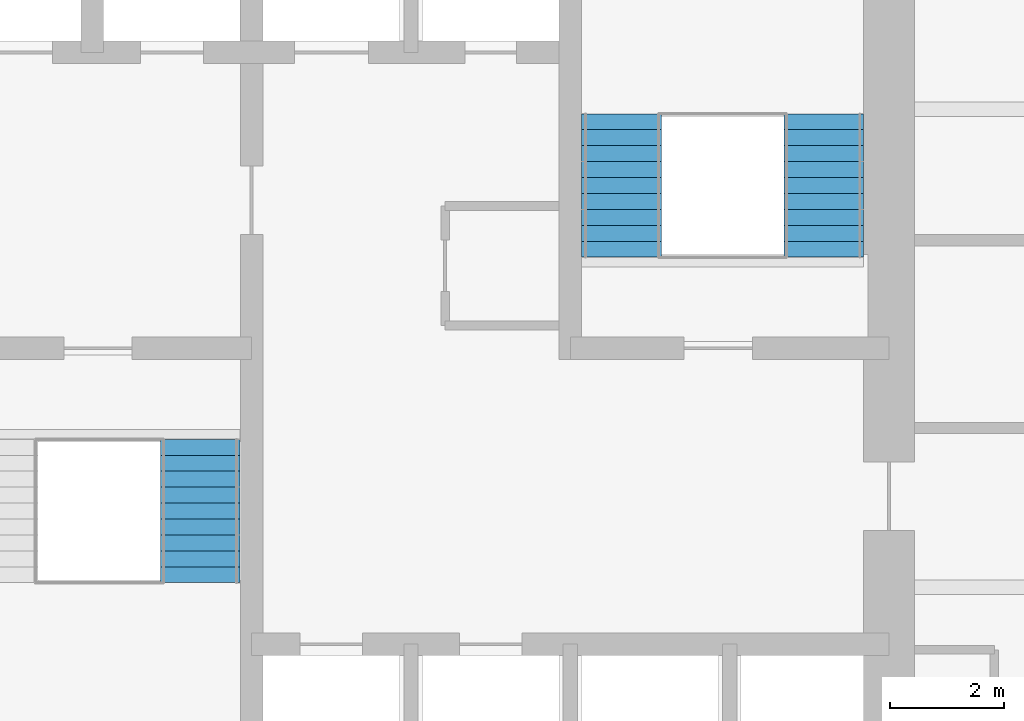
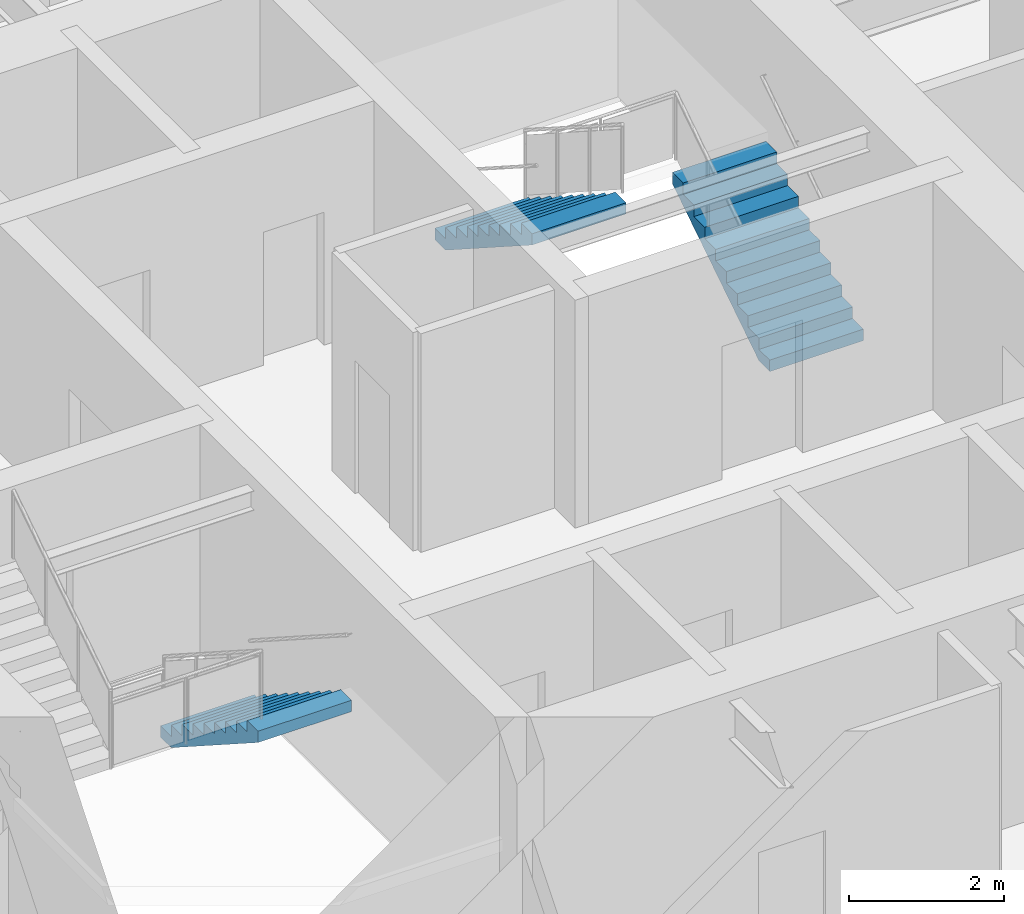
# One storey, part 13 of 15: 3 stair flights, 2 elements without a shape of their own.
"""IFC4 building model written with IfcOpenShell, lengths in metres."""

import ifcopenshell
import ifcopenshell.guid

model = None  # the IFC model being written
_history = None  # IfcOwnerHistory: only IFC2X3 demands one
_inside = {}  # id of a spatial element -> (the spatial element, [elements in it])
_under = {}  # id of a project, library or spatial element -> (it, [spatial elements below it])
_declared = {}  # id of a project -> (the project, [libraries it declares])
_typed = {}  # id of a type object -> (the type object, [elements of that type])
_made_of = {}  # id of a material, layer set ... -> (it, [elements and type objects made of it])


def new_model(schema):
    """Start an empty IFC model of exactly this schema.

    Asked for "IFC4X3", IfcOpenShell would pick the latest addendum, in which some entities
    have other attributes; the version numbers below select the first issue.
    IFC2X3 requires an IfcOwnerHistory on every rooted entity: one is made here for all.
    """
    global model, _history
    if schema == "IFC4X3":
        model = ifcopenshell.file(schema_version=(4, 3, 0, 0))
    else:
        model = ifcopenshell.file(schema=schema)
    _inside.clear()
    _under.clear()
    _declared.clear()
    _typed.clear()
    _made_of.clear()
    _history = None
    if model.schema == "IFC2X3":
        org = make("IfcOrganization", Name="unknown")
        user = make(
            "IfcPersonAndOrganization",
            ThePerson=make("IfcPerson", FamilyName="unknown"),
            TheOrganization=org,
        )
        app = make(
            "IfcApplication",
            ApplicationDeveloper=org,
            Version="unknown",
            ApplicationFullName="unknown",
            ApplicationIdentifier="unknown",
        )
        _history = make(
            "IfcOwnerHistory",
            OwningUser=user,
            OwningApplication=app,
            ChangeAction="ADDED",
            CreationDate=0,
        )
    return model


def make(cls, **values):
    """One entity of the class cls with the attributes given. An attribute that is None is left unset."""
    return model.create_entity(
        cls, **{name: value for name, value in values.items() if value is not None}
    )


def rooted(cls, **values):
    """An entity with a GlobalId (a new one), such as an element, a storey or a relation."""
    return make(cls, GlobalId=ifcopenshell.guid.new(), OwnerHistory=_history, **values)


def si_unit(unit_type, name, prefix=None):
    """IfcSIUnit, for example si_unit("LENGTHUNIT", "METRE", prefix="MILLI")."""
    return make("IfcSIUnit", UnitType=unit_type, Prefix=prefix, Name=name)


def assignment(units):
    """IfcUnitAssignment: the units of a project."""
    return None if units is None else make("IfcUnitAssignment", Units=units)


def point(xyz):
    """IfcCartesianPoint."""
    return None if xyz is None else make("IfcCartesianPoint", Coordinates=xyz)


def direction(xyz):
    """IfcDirection."""
    return None if xyz is None else make("IfcDirection", DirectionRatios=xyz)


def frame(location, z_axis=None, x_axis=None):
    """IfcAxis2Placement3D, a coordinate frame: its origin and axes. An axis left out is left unset."""
    return make(
        "IfcAxis2Placement3D",
        Location=point(location),
        Axis=direction(z_axis),
        RefDirection=direction(x_axis),
    )


def origin():
    """The frame at (0, 0, 0) with its axes left unset."""
    return frame((0.0, 0.0, 0.0))


def place(relative_to, where):
    """IfcLocalPlacement: puts the frame where relative to a parent placement (None: the world)."""
    return make(
        "IfcLocalPlacement", PlacementRelTo=relative_to, RelativePlacement=where
    )


def context(
    kind, dimensions, precision=None, world=None, true_north=None, identifier=None
):
    """IfcGeometricRepresentationContext, for example the 3D "Model" context."""
    return make(
        "IfcGeometricRepresentationContext",
        ContextIdentifier=identifier,
        ContextType=kind,
        CoordinateSpaceDimension=dimensions,
        Precision=precision,
        WorldCoordinateSystem=world,
        TrueNorth=true_north,
    )


def subcontext(parent, identifier, kind, view, scale=None):
    """IfcGeometricRepresentationSubContext, for example "Body" below "Model"."""
    return make(
        "IfcGeometricRepresentationSubContext",
        ContextIdentifier=identifier,
        ContextType=kind,
        ParentContext=parent,
        TargetScale=scale,
        TargetView=view,
    )


def project(units=None, contexts=None):
    """IfcProject with its units and contexts."""
    return rooted(
        "IfcProject",
        Name="project",
        RepresentationContexts=contexts,
        UnitsInContext=assignment(units),
    )


def spatial(cls, under=None, at=None, **own):
    """A site, building, storey or space (cls), placed at a placement, below another one or the project."""
    s = rooted(cls, ObjectPlacement=at, **own)
    if under is not None:
        _under.setdefault(under.id(), (under, []))[1].append(s)
    return s


def polyline(points):
    """IfcPolyline through the points."""
    return make("IfcPolyline", Points=[point(p) for p in points])


def outline(outer, holes=None, kind="AREA"):
    """IfcArbitraryClosedProfileDef: a profile drawn as a closed curve; with holes, ...WithVoids."""
    if holes is None:
        return make("IfcArbitraryClosedProfileDef", ProfileType=kind, OuterCurve=outer)
    return make(
        "IfcArbitraryProfileDefWithVoids",
        ProfileType=kind,
        OuterCurve=outer,
        InnerCurves=holes,
    )


def extrude(swept, where, along, depth):
    """IfcExtrudedAreaSolid: the profile swept, set in the frame where, extruded along a direction by depth."""
    return make(
        "IfcExtrudedAreaSolid",
        SweptArea=swept,
        Position=where,
        ExtrudedDirection=direction(along),
        Depth=depth,
    )


def shape(context_of_items, identifier, shape_type, items):
    """IfcShapeRepresentation: the items that make up one representation, for example the "Body"."""
    return make(
        "IfcShapeRepresentation",
        ContextOfItems=context_of_items,
        RepresentationIdentifier=identifier,
        RepresentationType=shape_type,
        Items=items,
    )


def material(Name=None, Category=None):
    """IfcMaterial."""
    return make("IfcMaterial", Name=Name, Category=Category)


def made_of(thing, what):
    """Note that an element or type object is made of a material, layer set ...; save() writes the relation."""
    if what is not None:
        _made_of.setdefault(what.id(), (what, []))[1].append(thing)
    return thing


def type_object(cls, material=None, **own):
    """A type object (cls), such as IfcWallType, which elements share."""
    return made_of(rooted(cls, **own), material)


def element(
    cls,
    number,
    at=None,
    inside=None,
    cuts=None,
    type_object=None,
    material=None,
    context=None,
    identifier="Body",
    shape_type=None,
    held_by="IfcProductDefinitionShape",
    body=None,
    shapes=None,
    **own,
):
    """One element of the class cls, such as IfcWall. Its Tag is "e" and its number.

    at: its placement. inside: the storey or other place that contains it. cuts: it is an
    opening in that element (IfcRelVoidsElement). A single representation is given by context,
    identifier, shape_type and body (its items); several are given by shapes. held_by: the class
    of the entity that holds the representations. save() writes the other relations.
    """
    e = rooted(cls, Tag="e%d" % number, ObjectPlacement=at, **own)
    if body is not None:
        shapes = [shape(context, identifier, shape_type, body)]
    if shapes is not None:
        e.Representation = make(held_by, Representations=shapes)
    if inside is not None:
        _inside.setdefault(inside.id(), (inside, []))[1].append(e)
    if cuts is not None:
        rooted(
            "IfcRelVoidsElement", RelatingBuildingElement=cuts, RelatedOpeningElement=e
        )
    if type_object is not None:
        _typed.setdefault(type_object.id(), (type_object, []))[1].append(e)
    return made_of(e, material)


def aggregate(whole, parts):
    """IfcRelAggregates: a whole, such as a stair, and the parts it consists of."""
    return rooted("IfcRelAggregates", RelatingObject=whole, RelatedObjects=parts)


def save(model, path):
    """Write the relations noted so far, then the file.

    IfcRelAggregates (storeys below a building ...), IfcRelContainedInSpatialStructure (elements
    in a storey), IfcRelDefinesByType, IfcRelAssociatesMaterial and IfcRelDeclares: one each for
    every whole, place, type object, material and project.
    """
    for whole, parts in _under.values():
        aggregate(whole, parts)
    for where, things in _inside.values():
        rooted(
            "IfcRelContainedInSpatialStructure",
            RelatedElements=things,
            RelatingStructure=where,
        )
    for kind, things in _typed.values():
        rooted("IfcRelDefinesByType", RelatedObjects=things, RelatingType=kind)
    for what, things in _made_of.values():
        rooted("IfcRelAssociatesMaterial", RelatedObjects=things, RelatingMaterial=what)
    for by, libraries in _declared.values():
        rooted("IfcRelDeclares", RelatingContext=by, RelatedDefinitions=libraries)
    model.write(path)


model = new_model("IFC4")

# Units and contexts
model_context = context("Model", 3, precision=1e-05, world=origin(), true_north=direction((0.0, 1.0)))
body_context = subcontext(model_context, "Body", "Model", "MODEL_VIEW")
ifc_project = project(units=[si_unit("LENGTHUNIT", "METRE"), si_unit("AREAUNIT", "SQUARE_METRE"), si_unit("VOLUMEUNIT", "CUBIC_METRE"), si_unit("PLANEANGLEUNIT", "RADIAN"), si_unit("MASSUNIT", "GRAM", prefix="KILO")], contexts=[model_context])

# Site, building, storey
site_placement = place(None, origin())
site = spatial("IfcSite", under=ifc_project, at=site_placement, CompositionType="ELEMENT")
building_placement = place(site_placement, origin())
building = spatial("IfcBuilding", under=site, at=building_placement, Name="Torre Alcanfor", CompositionType="ELEMENT")
storey_placement = place(building_placement, frame((0.0, 0.0, 152.10009765625)))
storey = spatial("IfcBuildingStorey", under=building, at=storey_placement, Name="L39", CompositionType="ELEMENT", Elevation=152.10009765625)

# Stair, stair flight
ifc_material_1 = material(Name="Concrete f'c 35 MPa", Category="concrete")
stair_type_1 = type_object("IfcStairType", Name="Exit stair S1 1400 wide", PredefinedType="HALF_TURN_STAIR", material=ifc_material_1)
stair_1_placement = place(storey_placement, origin())
stair_1 = element("IfcStair", 1, at=stair_1_placement, inside=storey, type_object=stair_type_1, Name="Stair S1 L39 to L40", PredefinedType="HALF_TURN_STAIR")
ifc_material_2 = material(Name="Concrete f'c 35 MPa", Category="concrete")
stair_flight_type = type_object("IfcStairFlightType", Name="Stair flight 1400", PredefinedType="STRAIGHT", material=ifc_material_2)
stair_flight_1_placement = place(storey_placement, frame((25.699951171875, 27.800048828125, 0.0), z_axis=(0.0, 0.0, 1.0), x_axis=(0.0, -1.0, 0.0)))
stair_flight_1 = element("IfcStairFlight", 2, at=stair_flight_1_placement, type_object=stair_flight_type, Name="S1 flight 1", NumberOfRisers=10, NumberOfTreads=9, PredefinedType="STRAIGHT", RiserHeight=0.18, TreadLength=0.28, context=body_context, shape_type="SweptSolid", body=[
    extrude(outline(polyline([(0.0, 0.0), (0.0, 0.179931640625), (0.280029296875, 0.179931640625), (0.280029296875, 0.360107421875), (0.56005859375, 0.360107421875), (0.56005859375, 0.5400390625), (0.840087890625, 0.5400390625), (0.840087890625, 0.719970703125), (1.1201171875, 0.719970703125), (1.1201171875, 0.89990234375), (1.39990234375, 0.89990234375), (1.39990234375, 1.080078125), (1.679931640625, 1.080078125), (1.679931640625, 1.260009765625), (1.9599609375, 1.260009765625), (1.9599609375, 1.43994140625), (2.239990234375, 1.43994140625), (2.239990234375, 1.6201171875), (2.52001953125, 1.6201171875), (2.52001953125, 1.800048828125), (2.52001953125, 1.44189453125), (0.277099609375, 0.0), (0.0, 0.0)])), frame((0.0, 0.699951171875, 0.0), z_axis=(0.0, -1.0, 0.0), x_axis=(1.0, 0.0, 0.0)), (0.0, 0.0, 1.0), 1.39990234375),
])
aggregate(stair_1, [stair_flight_1])

# Stair, stair flights
ifc_material_3 = material(Name="Concrete f'c 35 MPa", Category="concrete")
stair_type_2 = type_object("IfcStairType", Name="Exit stair S2 1400 wide", PredefinedType="HALF_TURN_STAIR", material=ifc_material_3)
stair_2_placement = place(storey_placement, origin())
stair_2 = element("IfcStair", 3, at=stair_2_placement, inside=storey, type_object=stair_type_2, Name="Stair S2 L39 to L40", PredefinedType="HALF_TURN_STAIR")
stair_flight_2_placement = place(storey_placement, frame((36.64990234375, 31.0, 0.0), z_axis=(0.0, 0.0, 1.0), x_axis=(0.0, 1.0, 0.0)))
stair_flight_2 = element("IfcStairFlight", 4, at=stair_flight_2_placement, type_object=stair_flight_type, Name="S2 flight 1", NumberOfRisers=10, NumberOfTreads=9, PredefinedType="STRAIGHT", RiserHeight=0.18, TreadLength=0.28, context=body_context, shape_type="SweptSolid", body=[
    extrude(outline(polyline([(0.0, 0.0), (0.0, 0.179931640625), (0.280029296875, 0.179931640625), (0.280029296875, 0.360107421875), (0.56005859375, 0.360107421875), (0.56005859375, 0.5400390625), (0.840087890625, 0.5400390625), (0.840087890625, 0.719970703125), (1.1201171875, 0.719970703125), (1.1201171875, 0.89990234375), (1.39990234375, 0.89990234375), (1.39990234375, 1.080078125), (1.679931640625, 1.080078125), (1.679931640625, 1.260009765625), (1.9599609375, 1.260009765625), (1.9599609375, 1.43994140625), (2.239990234375, 1.43994140625), (2.239990234375, 1.6201171875), (2.52001953125, 1.6201171875), (2.52001953125, 1.800048828125), (2.52001953125, 1.44189453125), (0.277099609375, 0.0), (0.0, 0.0)])), frame((0.0, 0.699951171875, 0.0), z_axis=(0.0, -1.0, 0.0), x_axis=(1.0, 0.0, 0.0)), (0.0, 0.0, 1.0), 1.39990234375),
])
stair_flight_3_placement = place(storey_placement, frame((33.10009765625, 33.52001953125, 1.7998046875), z_axis=(0.0, 0.0, 1.0), x_axis=(0.0, -1.0, 0.0)))
stair_flight_3 = element("IfcStairFlight", 5, at=stair_flight_3_placement, type_object=stair_flight_type, Name="S2 flight 2", NumberOfRisers=10, NumberOfTreads=9, PredefinedType="STRAIGHT", RiserHeight=0.18, TreadLength=0.28, context=body_context, shape_type="SweptSolid", body=[
    extrude(outline(polyline([(0.0, 0.0), (0.0, 0.179931640625), (0.280029296875, 0.179931640625), (0.280029296875, 0.360107421875), (0.56005859375, 0.360107421875), (0.56005859375, 0.5400390625), (0.840087890625, 0.5400390625), (0.840087890625, 0.719970703125), (1.1201171875, 0.719970703125), (1.1201171875, 0.89990234375), (1.39990234375, 0.89990234375), (1.39990234375, 1.080078125), (1.679931640625, 1.080078125), (1.679931640625, 1.260009765625), (1.9599609375, 1.260009765625), (1.9599609375, 1.43994140625), (2.239990234375, 1.43994140625), (2.239990234375, 1.6201171875), (2.52001953125, 1.6201171875), (2.52001953125, 1.800048828125), (2.52001953125, 1.44189453125), (0.277099609375, 0.0), (0.0, 0.0)])), frame((0.0, 0.699951171875, 0.0), z_axis=(0.0, -1.0, 0.0), x_axis=(1.0, 0.0, 0.0)), (0.0, 0.0, 1.0), 1.39990234375),
])
aggregate(stair_2, [stair_flight_2, stair_flight_3])

save(model, "model.ifc")
